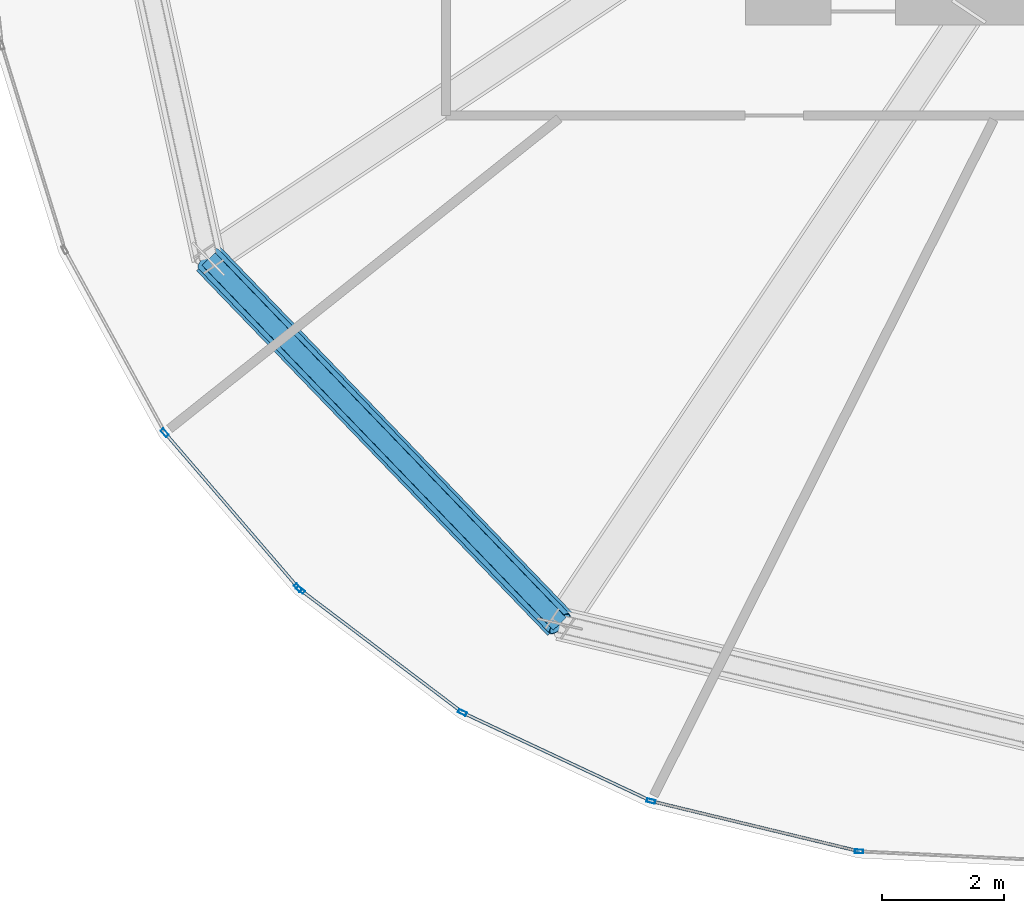
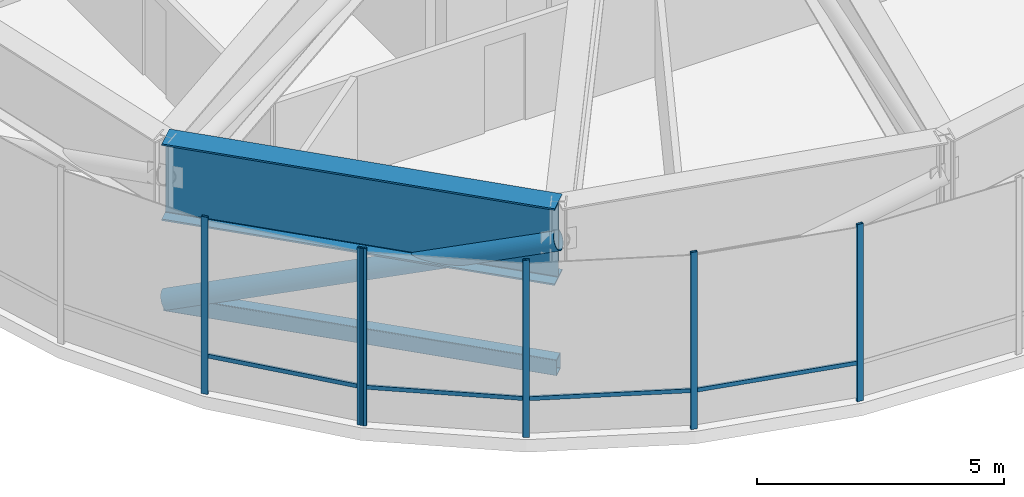
# One storey, part 2 of 26: 12 members, 1 beam, 2 elements without a shape of their own.
"""IFC4 building model written with IfcOpenShell, lengths in metres."""

from ifc_helpers import new_model, si_unit, direction, frame, origin, origin_2d, place, context, subcontext, project, spatial, hollow_rectangle, hollow_circle, i_section, extrude, source, transform, mapped, material, layer, layer_set, material_profile, profile_set, type_object, element, aggregate, save


model = new_model("IFC4")

# Units and contexts
model_context = context("Model", 3, precision=1e-05, world=origin(), true_north=direction((0.0, 1.0)))
body_context = subcontext(model_context, "Body", "Model", "MODEL_VIEW")
ifc_project = project(units=[si_unit("LENGTHUNIT", "METRE"), si_unit("AREAUNIT", "SQUARE_METRE"), si_unit("VOLUMEUNIT", "CUBIC_METRE"), si_unit("PLANEANGLEUNIT", "RADIAN"), si_unit("MASSUNIT", "GRAM", prefix="KILO"), si_unit("THERMODYNAMICTEMPERATUREUNIT", "KELVIN")], contexts=[model_context])

# Site, building, storey
site_placement = place(None, origin())
site = spatial("IfcSite", under=ifc_project, at=site_placement, CompositionType="ELEMENT")
building_placement = place(site_placement, origin())
building = spatial("IfcBuilding", under=site, at=building_placement, Name="Kethvar Cultural Tower", CompositionType="ELEMENT")
storey_placement = place(building_placement, frame((0.0, 0.0, 223.60009765625)))
storey = spatial("IfcBuildingStorey", under=building, at=storey_placement, Name="L58", CompositionType="ELEMENT", Elevation=223.60009765625)

# Beam
ifc_material_1 = material(Name="Steel S460M", Category="steel")
ifc_material_profile_1 = material_profile(ifc_material_1, i_section(OverallWidth=0.550048828125, OverallDepth=1.89990234375, WebThickness=0.02490234375, FlangeThickness=0.0400390625, FilletRadius=0.02001953125, at=origin_2d()), Name="Steel S460M — PG1900x550x40x25")
ifc_profile_set_1 = profile_set([ifc_material_profile_1], Name="Steel S460M — PG1900x550x40x25")
beam_type = type_object("IfcBeamType", Name="BM-TR1900", PredefinedType="BEAM", material=ifc_profile_set_1)
shared_shape_1 = source(origin(), body_context, "Body", "SweptSolid", [
    extrude(i_section(OverallWidth=0.550048828125, OverallDepth=1.89990234375, WebThickness=0.02490234375, FlangeThickness=0.0400390625, FilletRadius=0.02001953125, at=origin_2d()), origin(), (0.0, 0.0, 1.0), 8.28369140625),
])
beam_placement = place(storey_placement, frame((29.217529296875, 16.0517578125, 3.427978515625), z_axis=(0.693554459208, -0.72040420051, 0.0), x_axis=(0.72040420051, 0.693554459208, 0.0)))
element("IfcBeam", 1, at=beam_placement, inside=storey, type_object=beam_type, Name="L58 Ring Belt Girder BG-10", PredefinedType="BEAM", context=body_context, shape_type="MappedRepresentation", body=[
    mapped(shared_shape_1, transform((0.0, 0.0, 0.0), scale=1.0)),
])

# Members
ifc_material_profile_2 = material_profile(ifc_material_1, hollow_rectangle(XDim=0.300048828125, YDim=0.39990234375, WallThickness=0.01611328125, InnerFilletRadius=0.01611328125, OuterFilletRadius=0.031982421875, at=origin_2d()), Name="Steel S460M — RHS400x300x16")
ifc_profile_set_2 = profile_set([ifc_material_profile_2], Name="Steel S460M — RHS400x300x16")
member_type_1 = type_object("IfcMemberType", Name="MB-CHD-400", PredefinedType="CHORD", material=ifc_profile_set_2)
shared_shape_2 = source(origin(), body_context, "Body", "SweptSolid", [
    extrude(hollow_rectangle(XDim=0.300048828125, YDim=0.39990234375, WallThickness=0.01611328125, InnerFilletRadius=0.01611328125, OuterFilletRadius=0.031982421875, at=origin_2d()), origin(), (0.0, 0.0, 1.0), 8.28369140625),
])
member_1_placement = place(storey_placement, frame((29.217529296875, 16.0517578125, 0.349853515625), z_axis=(0.693554459208, -0.72040420051, 0.0), x_axis=(0.72040420051, 0.693554459208, 0.0)))
element("IfcMember", 2, at=member_1_placement, inside=storey, type_object=member_type_1, Name="L58 Ring Belt Bottom Chord BC-10", PredefinedType="CHORD", context=body_context, shape_type="MappedRepresentation", body=[
    mapped(shared_shape_2, transform((0.0, 0.0, 0.0), scale=1.0)),
])
ifc_material_2 = material(Name="Steel S355J2", Category="steel")
ifc_material_profile_3 = material_profile(ifc_material_2, hollow_circle(Radius=0.228515625, WallThickness=0.01611328125, at=origin_2d()), Name="Steel S355J2 — CHS457x16")
ifc_profile_set_3 = profile_set([ifc_material_profile_3], Name="Steel S355J2 — CHS457x16")
member_type_2 = type_object("IfcMemberType", Name="MB-OUT-457", PredefinedType="BRACE", material=ifc_profile_set_3)
shared_shape_3 = source(origin(), body_context, "Body", "SweptSolid", [
    extrude(hollow_circle(Radius=0.228515625, WallThickness=0.01611328125, at=origin_2d()), origin(), (0.0, 0.0, 1.0), 8.8369140625),
])
member_2_placement = place(storey_placement, frame((29.217529296875, 16.0517578125, 0.349853515625), z_axis=(0.650120505797, -0.675288777971, 0.348322256378), x_axis=(0.72040420051, 0.693554459208, 0.0)))
element("IfcMember", 3, at=member_2_placement, inside=storey, type_object=member_type_2, Name="L58 Ring Belt Diagonal BD-10", PredefinedType="BRACE", context=body_context, shape_type="MappedRepresentation", body=[
    mapped(shared_shape_3, transform((0.0, 0.0, 0.0), scale=1.0)),
])

# Curtain wall, members
ifc_material_3 = material(Name="Aluminium 6063-T6", Category="aluminium")
ifc_layer = layer(ifc_material_3, 0.179931640625, Name="Aluminium 6063-T6", Category="aluminium")
ifc_layer_set = layer_set([ifc_layer], Name="Aluminium 6063-T6 (180 mm)")
curtain_wall_type = type_object("IfcCurtainWallType", Name="CW-SYS-04-Z34", PredefinedType="NOTDEFINED", material=ifc_layer_set)
curtain_wall_1_placement = place(storey_placement, origin())
curtain_wall_1 = element("IfcCurtainWall", 4, at=curtain_wall_1_placement, inside=storey, type_object=curtain_wall_type, Name="L58 Curtain Wall Run 03", PredefinedType="NOTDEFINED")
ifc_material_profile_4 = material_profile(ifc_material_3, hollow_rectangle(XDim=0.06005859375, YDim=0.139892578125, WallThickness=0.0048828125, at=origin_2d()), Name="Aluminium 6063-T6 — RHS140x60x5")
ifc_profile_set_4 = profile_set([ifc_material_profile_4], Name="Aluminium 6063-T6 — RHS140x60x5")
member_type_3 = type_object("IfcMemberType", Name="CW-SYS-04-Z34-MUL", PredefinedType="MULLION", material=ifc_profile_set_4)
shared_shape_4 = source(origin(), body_context, "Body", "SweptSolid", [
    extrude(hollow_rectangle(XDim=0.06005859375, YDim=0.139892578125, WallThickness=0.0048828125, at=origin_2d()), origin(), (0.0, 0.0, 1.0), 4.3798828125),
])
member_3_placement = place(storey_placement, frame((28.50146484375, 13.210693359375, 0.0), z_axis=(0.0, 0.0, 1.0), x_axis=(0.758043278694, 0.652204252996, 0.0)))
member_3 = element("IfcMember", 5, at=member_3_placement, type_object=member_type_3, Name="CW-L58-R03 Mullion 6", PredefinedType="MULLION", context=body_context, shape_type="MappedRepresentation", body=[
    mapped(shared_shape_4, transform((0.0, 0.0, 0.0), scale=1.0)),
])
member_4_placement = place(storey_placement, frame((30.682373046875, 10.676025390625, 0.0), z_axis=(0.0, 0.0, 1.0), x_axis=(0.758043278694, 0.652204252996, 0.0)))
member_4 = element("IfcMember", 6, at=member_4_placement, type_object=member_type_3, Name="CW-L58-R03 Mullion 7", PredefinedType="MULLION", context=body_context, shape_type="MappedRepresentation", body=[
    mapped(shared_shape_4, transform((0.0, 0.0, 0.0), scale=1.0)),
])

curtain_wall_2_placement = place(storey_placement, origin())
curtain_wall_2 = element("IfcCurtainWall", 7, at=curtain_wall_2_placement, inside=storey, type_object=curtain_wall_type, Name="L58 Curtain Wall Run 04", PredefinedType="NOTDEFINED")
member_5_placement = place(storey_placement, frame((30.721923828125, 10.638916015625, 0.0), z_axis=(0.0, 0.0, 1.0), x_axis=(0.60331934559, 0.797499697327, 0.0)))
member_5 = element("IfcMember", 8, at=member_5_placement, type_object=member_type_3, Name="CW-L58-R04 Mullion 1", PredefinedType="MULLION", context=body_context, shape_type="MappedRepresentation", body=[
    mapped(shared_shape_4, transform((0.0, 0.0, 0.0), scale=1.0)),
])
member_6_placement = place(storey_placement, frame((33.368896484375, 8.63330078125, 0.0), z_axis=(0.0, 0.0, 1.0), x_axis=(0.424215227838, 0.905561395197, 0.0)))
member_6 = element("IfcMember", 9, at=member_6_placement, type_object=member_type_3, Name="CW-L58-R04 Mullion 2", PredefinedType="MULLION", context=body_context, shape_type="MappedRepresentation", body=[
    mapped(shared_shape_4, transform((0.0, 0.0, 0.0), scale=1.0)),
])
member_7_placement = place(storey_placement, frame((36.455322265625, 7.18505859375, 0.0), z_axis=(0.0, 0.0, 1.0), x_axis=(0.234582264783, 0.972096271492, 0.0)))
member_7 = element("IfcMember", 10, at=member_7_placement, type_object=member_type_3, Name="CW-L58-R04 Mullion 3", PredefinedType="MULLION", context=body_context, shape_type="MappedRepresentation", body=[
    mapped(shared_shape_4, transform((0.0, 0.0, 0.0), scale=1.0)),
])
member_8_placement = place(storey_placement, frame((39.857177734375, 6.3623046875, 0.0), z_axis=(0.0, 0.0, 1.0), x_axis=(0.047071582847, 0.998891518679, 0.0)))
member_8 = element("IfcMember", 11, at=member_8_placement, type_object=member_type_3, Name="CW-L58-R04 Mullion 4", PredefinedType="MULLION", context=body_context, shape_type="MappedRepresentation", body=[
    mapped(shared_shape_4, transform((0.0, 0.0, 0.0), scale=1.0)),
])
ifc_material_profile_5 = material_profile(ifc_material_3, hollow_rectangle(XDim=0.050048828125, YDim=0.10009765625, WallThickness=0.00390625, at=origin_2d()), Name="Aluminium 6063-T6 — RHS100x50x4")
ifc_profile_set_5 = profile_set([ifc_material_profile_5], Name="Aluminium 6063-T6 — RHS100x50x4")
member_type_4 = type_object("IfcMemberType", Name="CW-SYS-04-Z34-TRN", PredefinedType="USERDEFINED", material=ifc_profile_set_5)
shared_shape_5 = source(origin(), body_context, "Body", "SweptSolid", [
    extrude(hollow_rectangle(XDim=0.050048828125, YDim=0.10009765625, WallThickness=0.00390625, at=origin_2d()), origin(), (0.0, 0.0, 1.0), 3.434326171875),
])
member_9_placement = place(storey_placement, frame((36.497314453125, 7.175048828125, 0.949951171875), z_axis=(0.972092272185, -0.234598837078, 0.0), x_axis=(0.234598837078, 0.972092272185, 0.0)))
member_9 = element("IfcMember", 12, at=member_9_placement, type_object=member_type_4, Name="CW-L58-R04 Transom 3", ObjectType="TRANSOM", PredefinedType="USERDEFINED", context=body_context, shape_type="MappedRepresentation", body=[
    mapped(shared_shape_5, transform((0.0, 0.0, 0.0), scale=1.0)),
])
shared_shape_6 = source(origin(), body_context, "Body", "SweptSolid", [
    extrude(hollow_rectangle(XDim=0.050048828125, YDim=0.10009765625, WallThickness=0.00390625, at=origin_2d()), origin(), (0.0, 0.0, 1.0), 3.344970703125),
])
member_10_placement = place(storey_placement, frame((33.407958984375, 8.614990234375, 0.949951171875), z_axis=(0.905564971448, -0.424207593621, 0.0), x_axis=(0.424207593621, 0.905564971448, 0.0)))
member_10 = element("IfcMember", 13, at=member_10_placement, type_object=member_type_4, Name="CW-L58-R04 Transom 2", ObjectType="TRANSOM", PredefinedType="USERDEFINED", context=body_context, shape_type="MappedRepresentation", body=[
    mapped(shared_shape_6, transform((0.0, 0.0, 0.0), scale=1.0)),
])

# Member
shared_shape_7 = source(origin(), body_context, "Body", "SweptSolid", [
    extrude(hollow_rectangle(XDim=0.050048828125, YDim=0.10009765625, WallThickness=0.00390625, at=origin_2d()), origin(), (0.0, 0.0, 1.0), 3.29638671875),
])
member_11_placement = place(storey_placement, frame((28.52978515625, 13.177978515625, 0.949951171875), z_axis=(0.652205296298, -0.758042381059, 0.0), x_axis=(0.758042381059, 0.652205296298, 0.0)))
member_11 = element("IfcMember", 14, at=member_11_placement, type_object=member_type_4, Name="CW-L58-R03 Transom 6", ObjectType="TRANSOM", PredefinedType="USERDEFINED", context=body_context, shape_type="MappedRepresentation", body=[
    mapped(shared_shape_7, transform((0.0, 0.0, 0.0), scale=1.0)),
])

aggregate(curtain_wall_1, [member_3, member_4, member_11])

member_12_placement = place(storey_placement, frame((30.72509765625, 10.636474609375, 0.949951171875), z_axis=(0.797504620459, -0.603312837877, 0.0), x_axis=(0.603312837877, 0.797504620459, 0.0)))
member_12 = element("IfcMember", 15, at=member_12_placement, type_object=member_type_4, Name="CW-L58-R04 Transom 1", ObjectType="TRANSOM", PredefinedType="USERDEFINED", context=body_context, shape_type="MappedRepresentation", body=[
    mapped(shared_shape_7, transform((0.0, 0.0, 0.0), scale=1.0)),
])

aggregate(curtain_wall_2, [member_5, member_6, member_7, member_8, member_12, member_10, member_9])

save(model, "model.ifc")
